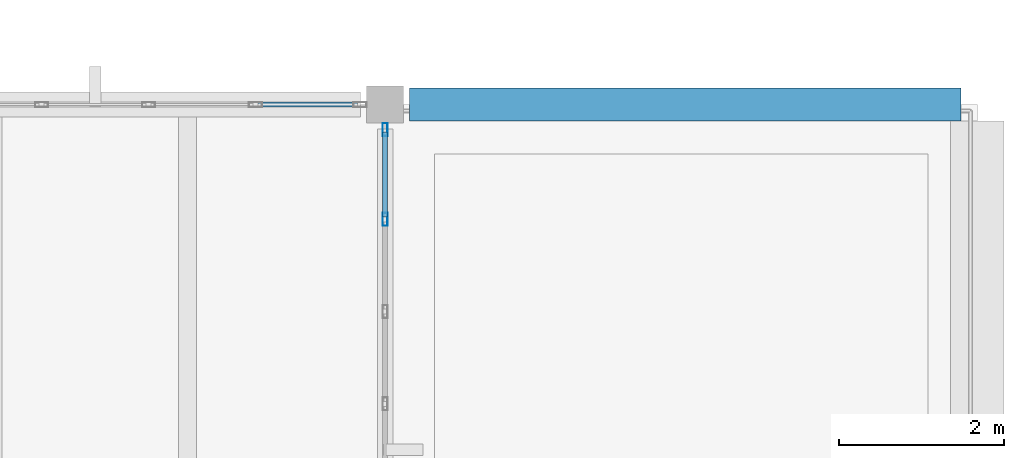
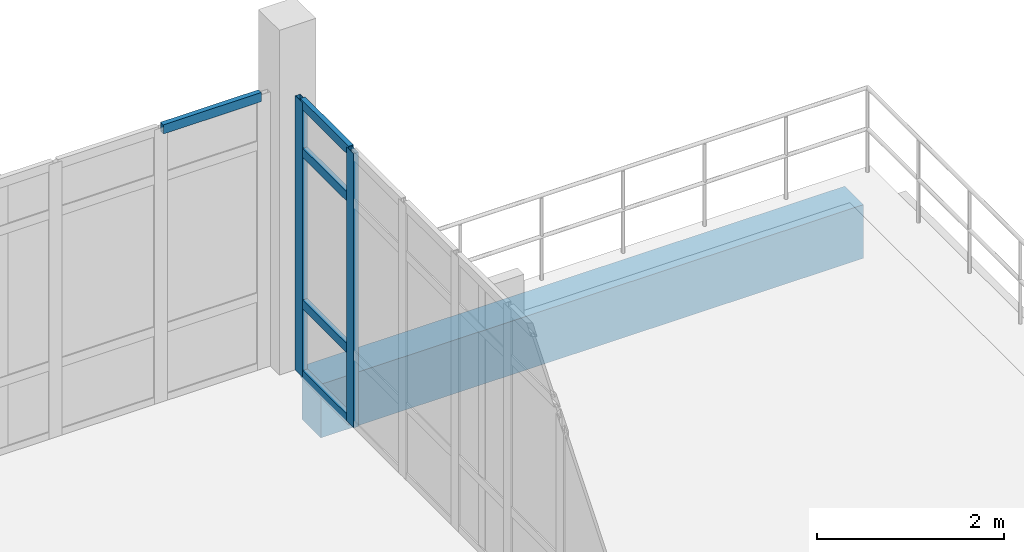
# One storey, part 44 of 62: 7 members, 1 beam, 2 elements without a shape of their own.
"""IFC4 building model written with IfcOpenShell, lengths in metres."""

from ifc_helpers import new_model, si_unit, direction, frame, origin, origin_2d, place, context, subcontext, project, spatial, rectangle, hollow_rectangle, extrude, material, material_profile, profile_set, type_object, element, aggregate, save


model = new_model("IFC4")

# Units and contexts
model_context = context("Model", 3, precision=1e-05, world=origin(), true_north=direction((0.0, 1.0)))
body_context = subcontext(model_context, "Body", "Model", "MODEL_VIEW")
ifc_project = project(units=[si_unit("LENGTHUNIT", "METRE"), si_unit("AREAUNIT", "SQUARE_METRE"), si_unit("VOLUMEUNIT", "CUBIC_METRE"), si_unit("PLANEANGLEUNIT", "RADIAN"), si_unit("MASSUNIT", "GRAM", prefix="KILO")], contexts=[model_context])

# Site, building, storey
site_placement = place(None, origin())
site = spatial("IfcSite", under=ifc_project, at=site_placement, CompositionType="ELEMENT")
building_placement = place(site_placement, origin())
building = spatial("IfcBuilding", under=site, at=building_placement, Name="Kalluvel Institute of Natural Sciences", CompositionType="ELEMENT")
storey_placement = place(building_placement, frame((0.0, 0.0, 27.89990234375)))
storey = spatial("IfcBuildingStorey", under=building, at=storey_placement, Name="L06", CompositionType="ELEMENT", Elevation=27.89990234375)

# Curtain wall, members
ifc_material_1 = material(Name="Aluminium AW-6063 T6", Category="aluminium")
curtain_wall_type = type_object("IfcCurtainWallType", Name="CW-WET-45", PredefinedType="USERDEFINED", material=ifc_material_1)
curtain_wall_1_placement = place(storey_placement, origin())
curtain_wall_1 = element("IfcCurtainWall", 1, at=curtain_wall_1_placement, inside=storey, type_object=curtain_wall_type, Name="L06 Gothic lancet curtain wall CWA-L06-X1076-Y1199", ObjectType="UNITISED LANCET FACADE", PredefinedType="USERDEFINED")
ifc_material_profile_1 = material_profile(ifc_material_1, hollow_rectangle(XDim=0.06005859375, YDim=0.159912109375, WallThickness=0.00390625, at=origin_2d()), Name="CWM 60x160")
ifc_profile_set_1 = profile_set([ifc_material_profile_1], Name="Aluminium AW-6063 T6")
member_type_1 = type_object("IfcMemberType", Name="CWM-60x160", PredefinedType="MULLION", material=ifc_profile_set_1)
member_1_placement = place(storey_placement, frame((107.60009765625, 126.603515625, 0.0), z_axis=(0.0, 0.0, 1.0), x_axis=(-1.0, 0.0, 0.0)))
member_1 = element("IfcMember", 2, at=member_1_placement, type_object=member_type_1, Name="CW-01 mullion 7", PredefinedType="MULLION", context=body_context, shape_type="SweptSolid", body=[
    extrude(hollow_rectangle(XDim=0.06005859375, YDim=0.159912109375, WallThickness=0.00390625, at=origin_2d()), origin(), (0.0, 0.0, 1.0), 3.580078125),
])
member_2_placement = place(storey_placement, frame((107.60009765625, 127.695068359375, 0.0), z_axis=(0.0, 0.0, 1.0), x_axis=(-1.0, 0.0, 0.0)))
member_2 = element("IfcMember", 3, at=member_2_placement, type_object=member_type_1, Name="CW-01 mullion 8", PredefinedType="MULLION", context=body_context, shape_type="SweptSolid", body=[
    extrude(hollow_rectangle(XDim=0.06005859375, YDim=0.159912109375, WallThickness=0.00390625, at=origin_2d()), origin(), (0.0, 0.0, 1.0), 3.580078125),
])

# Curtain wall, member
curtain_wall_2_placement = place(storey_placement, origin())
curtain_wall_2 = element("IfcCurtainWall", 4, at=curtain_wall_2_placement, inside=storey, type_object=curtain_wall_type, Name="L06 Gothic lancet curtain wall CWA-L06-X1008-Y1280", ObjectType="UNITISED LANCET FACADE", PredefinedType="USERDEFINED")
ifc_material_profile_2 = material_profile(ifc_material_1, hollow_rectangle(XDim=0.06005859375, YDim=0.1201171875, WallThickness=0.00390625, at=origin_2d()), Name="CWT 60x120")
ifc_profile_set_2 = profile_set([ifc_material_profile_2], Name="Aluminium AW-6063 T6")
member_type_2 = type_object("IfcMemberType", Name="CWT-60x120", PredefinedType="USERDEFINED", material=ifc_profile_set_2)
member_3_placement = place(storey_placement, frame((106.054931640625, 128.0, 3.550048828125), z_axis=(1.0, 0.0, 0.0), x_axis=(0.0, 1.0, 0.0)))
member_3 = element("IfcMember", 5, at=member_3_placement, type_object=member_type_2, Name="CW-01 transom 5.4", ObjectType="TRANSOM", PredefinedType="USERDEFINED", context=body_context, shape_type="SweptSolid", body=[
    extrude(hollow_rectangle(XDim=0.06005859375, YDim=0.1201171875, WallThickness=0.00390625, at=origin_2d()), origin(), (0.0, 0.0, 1.0), 1.2099609375),
])
aggregate(curtain_wall_2, [member_3])

# Member
member_4_placement = place(storey_placement, frame((107.60009765625, 126.633544921875, 0.030029296875), z_axis=(0.0, 1.0, 0.0), x_axis=(-1.0, 0.0, 0.0)))
member_4 = element("IfcMember", 6, at=member_4_placement, type_object=member_type_2, Name="CW-01 transom 7.1", ObjectType="TRANSOM", PredefinedType="USERDEFINED", context=body_context, shape_type="SweptSolid", body=[
    extrude(hollow_rectangle(XDim=0.06005859375, YDim=0.1201171875, WallThickness=0.00390625, at=origin_2d()), origin(), (0.0, 0.0, 1.0), 1.031494140625),
])

member_5_placement = place(storey_placement, frame((107.60009765625, 126.633544921875, 0.9501953125), z_axis=(0.0, 1.0, 0.0), x_axis=(-1.0, 0.0, 0.0)))
member_5 = element("IfcMember", 7, at=member_5_placement, type_object=member_type_2, Name="CW-01 transom 7.2", ObjectType="TRANSOM", PredefinedType="USERDEFINED", context=body_context, shape_type="SweptSolid", body=[
    extrude(hollow_rectangle(XDim=0.06005859375, YDim=0.1201171875, WallThickness=0.00390625, at=origin_2d()), origin(), (0.0, 0.0, 1.0), 1.031494140625),
])

member_6_placement = place(storey_placement, frame((107.60009765625, 126.633544921875, 2.93017578125), z_axis=(0.0, 1.0, 0.0), x_axis=(-1.0, 0.0, 0.0)))
member_6 = element("IfcMember", 8, at=member_6_placement, type_object=member_type_2, Name="CW-01 transom 7.3", ObjectType="TRANSOM", PredefinedType="USERDEFINED", context=body_context, shape_type="SweptSolid", body=[
    extrude(hollow_rectangle(XDim=0.06005859375, YDim=0.1201171875, WallThickness=0.00390625, at=origin_2d()), origin(), (0.0, 0.0, 1.0), 1.031494140625),
])

member_7_placement = place(storey_placement, frame((107.60009765625, 126.633544921875, 3.550048828125), z_axis=(0.0, 1.0, 0.0), x_axis=(-1.0, 0.0, 0.0)))
member_7 = element("IfcMember", 9, at=member_7_placement, type_object=member_type_2, Name="CW-01 transom 7.4", ObjectType="TRANSOM", PredefinedType="USERDEFINED", context=body_context, shape_type="SweptSolid", body=[
    extrude(hollow_rectangle(XDim=0.06005859375, YDim=0.1201171875, WallThickness=0.00390625, at=origin_2d()), origin(), (0.0, 0.0, 1.0), 1.031494140625),
])

aggregate(curtain_wall_1, [member_1, member_2, member_4, member_5, member_6, member_7])

# Beam
ifc_material_2 = material(Name="Concrete M40", Category="concrete")
ifc_material_profile_3 = material_profile(ifc_material_2, rectangle(XDim=0.39990234375, YDim=0.699951171875, at=origin_2d()), Name="RCB 400x700")
ifc_profile_set_3 = profile_set([ifc_material_profile_3], Name="Concrete M40")
beam_type = type_object("IfcBeamType", Name="SP-RC400x700", PredefinedType="SPANDREL", material=ifc_profile_set_3)
beam_placement = place(storey_placement, frame((107.89990234375, 128.0, -0.669921875), z_axis=(1.0, 0.0, 0.0), x_axis=(0.0, 1.0, 0.0)))
element("IfcBeam", 10, at=beam_placement, inside=storey, type_object=beam_type, Name="L06 girder GIR-L06-EW-X1076-Y1280", PredefinedType="SPANDREL", context=body_context, shape_type="SweptSolid", body=[
    extrude(rectangle(XDim=0.39990234375, YDim=0.699951171875, at=origin_2d()), origin(), (0.0, 0.0, 1.0), 6.7001953125),
])

save(model, "model.ifc")
